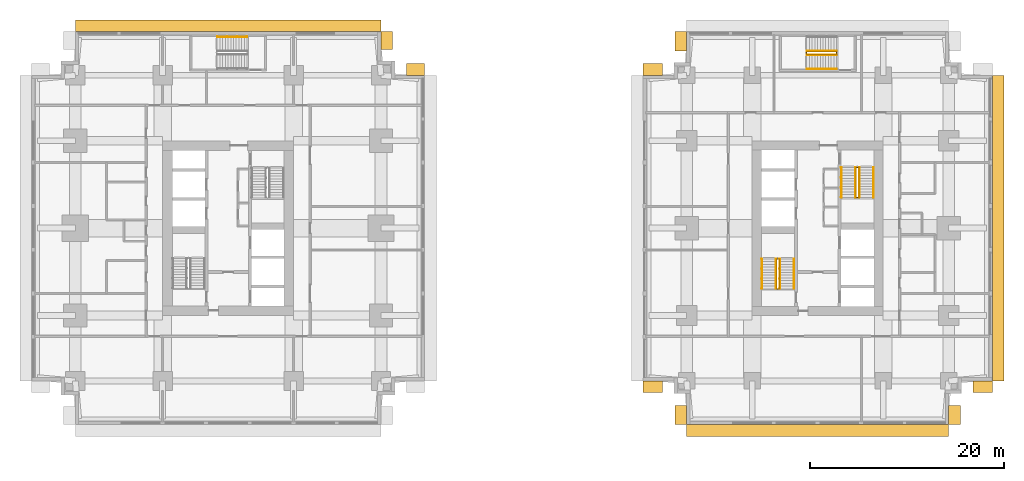
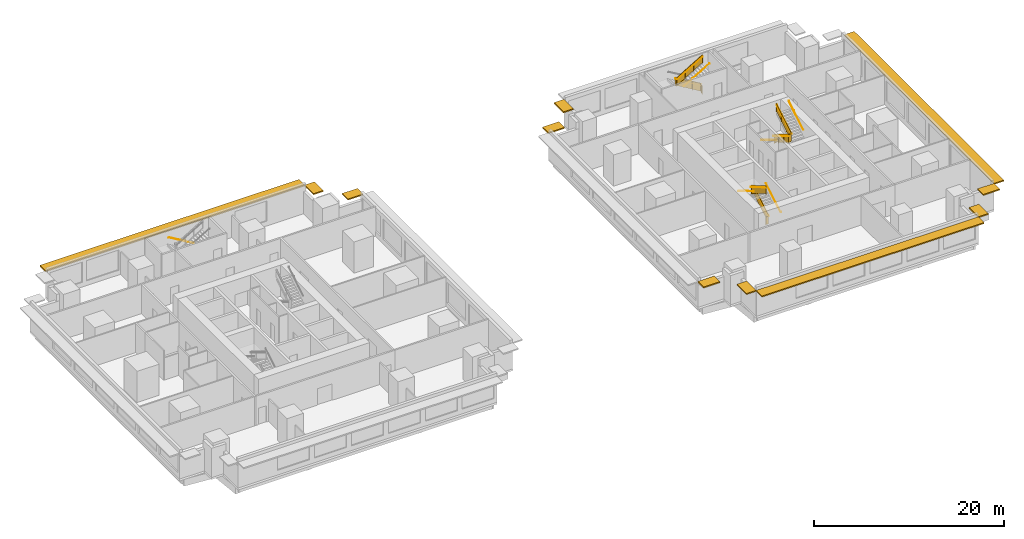
# One storey, part 10 of 11: 15 railings, 11 shading devices.
"""IFC4 building model written with IfcOpenShell, lengths in metres."""

from ifc_helpers import new_model, si_unit, direction, frame, origin, origin_2d, place, context, subcontext, project, spatial, polyline, rectangle, circle, outline, extrude, material, layer, layer_set, type_object, element, save


model = new_model("IFC4")

# Units and contexts
model_context = context("Model", 3, precision=1e-05, world=origin(), true_north=direction((0.0, 1.0)))
body_context = subcontext(model_context, "Body", "Model", "MODEL_VIEW")
ifc_project = project(units=[si_unit("LENGTHUNIT", "METRE"), si_unit("AREAUNIT", "SQUARE_METRE"), si_unit("VOLUMEUNIT", "CUBIC_METRE"), si_unit("PLANEANGLEUNIT", "RADIAN"), si_unit("MASSUNIT", "GRAM", prefix="KILO")], contexts=[model_context])

# Site, building, storey
site_placement = place(None, origin())
site = spatial("IfcSite", under=ifc_project, at=site_placement, CompositionType="ELEMENT")
building_placement = place(site_placement, origin())
building = spatial("IfcBuilding", under=site, at=building_placement, Name="Namib Vertical Campus", CompositionType="ELEMENT")
storey_placement = place(building_placement, frame((0.0, 0.0, 49.0)))
storey = spatial("IfcBuildingStorey", under=building, at=storey_placement, Name="L11", CompositionType="ELEMENT", Elevation=49.0)

# Railings
ifc_material_1 = material(Name="Steel handrail", Category="steel")
railing_type_1 = type_object("IfcRailingType", Name="Handrail 900", PredefinedType="HANDRAIL", material=ifc_material_1)
railing_1_placement = place(storey_placement, frame((78.550048828125, 14.0, 0.166748046875)))
element("IfcRailing", 1, at=railing_1_placement, inside=storey, type_object=railing_type_1, Name="Handrail HR1 B-S1 L11 1", PredefinedType="HANDRAIL", context=body_context, shape_type="SweptSolid", body=[
    extrude(circle(Radius=0.02392578125, at=origin_2d()), frame((0.0, 0.0, 0.8759765625), z_axis=(0.0, 0.859308565015, 0.511457515432), x_axis=(-1.0, 0.0, 0.0)), (0.0, 0.0, 1.0), 3.58447265625),
    extrude(circle(Radius=0.008056640625, at=origin_2d()), frame((0.0, 0.0, 0.8759765625), z_axis=(1.0, 0.0, 0.0), x_axis=(0.0, 0.0, 1.0)), (0.0, 0.0, 1.0), 0.050048828125),
    extrude(circle(Radius=0.008056640625, at=origin_2d()), frame((0.0, 1.026611328125, 1.48681640625), z_axis=(1.0, 0.0, 0.0), x_axis=(0.0, 0.0, 1.0)), (0.0, 0.0, 1.0), 0.050048828125),
    extrude(circle(Radius=0.008056640625, at=origin_2d()), frame((0.0, 2.053466796875, 2.09814453125), z_axis=(1.0, 0.0, 0.0), x_axis=(0.0, 0.0, 1.0)), (0.0, 0.0, 1.0), 0.050048828125),
    extrude(circle(Radius=0.008056640625, at=origin_2d()), frame((0.0, 3.080078125, 2.708984375), z_axis=(1.0, 0.0, 0.0), x_axis=(0.0, 0.0, 1.0)), (0.0, 0.0, 1.0), 0.050048828125),
])
railing_2_placement = place(storey_placement, frame((75.25, 17.080078125, 2.166748046875)))
element("IfcRailing", 2, at=railing_2_placement, inside=storey, type_object=railing_type_1, Name="Handrail HR1 B-S1 L11 2", PredefinedType="HANDRAIL", context=body_context, shape_type="SweptSolid", body=[
    extrude(circle(Radius=0.02392578125, at=origin_2d()), frame((0.0, 0.0, 0.8759765625), z_axis=(0.0, -0.859308565015, 0.511457515432), x_axis=(1.0, 0.0, 0.0)), (0.0, 0.0, 1.0), 3.58447265625),
    extrude(circle(Radius=0.008056640625, at=origin_2d()), frame((0.0, 0.0, 0.8759765625), z_axis=(-1.0, 0.0, 0.0), x_axis=(0.0, 0.0, 1.0)), (0.0, 0.0, 1.0), 0.050048828125),
    extrude(circle(Radius=0.008056640625, at=origin_2d()), frame((0.0, -1.026611328125, 1.48681640625), z_axis=(-1.0, 0.0, 0.0), x_axis=(0.0, 0.0, 1.0)), (0.0, 0.0, 1.0), 0.050048828125),
    extrude(circle(Radius=0.008056640625, at=origin_2d()), frame((0.0, -2.053466796875, 2.09814453125), z_axis=(-1.0, 0.0, 0.0), x_axis=(0.0, 0.0, 1.0)), (0.0, 0.0, 1.0), 0.050048828125),
    extrude(circle(Radius=0.008056640625, at=origin_2d()), frame((0.0, -3.080078125, 2.708984375), z_axis=(-1.0, 0.0, 0.0), x_axis=(0.0, 0.0, 1.0)), (0.0, 0.0, 1.0), 0.050048828125),
])
railing_3_placement = place(storey_placement, frame((77.10009765625, 14.0, 0.166748046875)))
element("IfcRailing", 3, at=railing_3_placement, inside=storey, type_object=railing_type_1, Name="Handrail HR1 B-S1 L11 1 at the well", PredefinedType="HANDRAIL", context=body_context, shape_type="SweptSolid", body=[
    extrude(circle(Radius=0.02392578125, at=origin_2d()), frame((0.0, 0.0, 0.8759765625), z_axis=(0.0, 0.859308565015, 0.511457515432), x_axis=(-1.0, 0.0, 0.0)), (0.0, 0.0, 1.0), 3.58447265625),
    extrude(circle(Radius=0.008056640625, at=origin_2d()), frame((0.0, 0.0, 0.8759765625), z_axis=(-1.0, 0.0, 0.0), x_axis=(0.0, 0.0, 1.0)), (0.0, 0.0, 1.0), 0.0400390625),
    extrude(circle(Radius=0.008056640625, at=origin_2d()), frame((0.0, 1.026611328125, 1.48681640625), z_axis=(-1.0, 0.0, 0.0), x_axis=(0.0, 0.0, 1.0)), (0.0, 0.0, 1.0), 0.0400390625),
    extrude(circle(Radius=0.008056640625, at=origin_2d()), frame((0.0, 2.053466796875, 2.09814453125), z_axis=(-1.0, 0.0, 0.0), x_axis=(0.0, 0.0, 1.0)), (0.0, 0.0, 1.0), 0.0400390625),
    extrude(circle(Radius=0.008056640625, at=origin_2d()), frame((0.0, 3.080078125, 2.708984375), z_axis=(-1.0, 0.0, 0.0), x_axis=(0.0, 0.0, 1.0)), (0.0, 0.0, 1.0), 0.0400390625),
])
railing_4_placement = place(storey_placement, frame((76.699951171875, 17.080078125, 2.166748046875)))
element("IfcRailing", 4, at=railing_4_placement, inside=storey, type_object=railing_type_1, Name="Handrail HR1 B-S1 L11 2 at the well", PredefinedType="HANDRAIL", context=body_context, shape_type="SweptSolid", body=[
    extrude(circle(Radius=0.02392578125, at=origin_2d()), frame((0.0, 0.0, 0.8759765625), z_axis=(0.0, -0.859308565015, 0.511457515432), x_axis=(1.0, 0.0, 0.0)), (0.0, 0.0, 1.0), 3.58447265625),
    extrude(circle(Radius=0.008056640625, at=origin_2d()), frame((0.0, 0.0, 0.8759765625), z_axis=(1.0, 0.0, 0.0), x_axis=(0.0, 0.0, 1.0)), (0.0, 0.0, 1.0), 0.0400390625),
    extrude(circle(Radius=0.008056640625, at=origin_2d()), frame((0.0, -1.026611328125, 1.48681640625), z_axis=(1.0, 0.0, 0.0), x_axis=(0.0, 0.0, 1.0)), (0.0, 0.0, 1.0), 0.0400390625),
    extrude(circle(Radius=0.008056640625, at=origin_2d()), frame((0.0, -2.053466796875, 2.09814453125), z_axis=(1.0, 0.0, 0.0), x_axis=(0.0, 0.0, 1.0)), (0.0, 0.0, 1.0), 0.0400390625),
    extrude(circle(Radius=0.008056640625, at=origin_2d()), frame((0.0, -3.080078125, 2.708984375), z_axis=(1.0, 0.0, 0.0), x_axis=(0.0, 0.0, 1.0)), (0.0, 0.0, 1.0), 0.0400390625),
])
railing_5_placement = place(storey_placement, frame((83.449951171875, 26.5, 0.166748046875)))
element("IfcRailing", 5, at=railing_5_placement, inside=storey, type_object=railing_type_1, Name="Handrail HR1 B-S2 L11 1", PredefinedType="HANDRAIL", context=body_context, shape_type="SweptSolid", body=[
    extrude(circle(Radius=0.02392578125, at=origin_2d()), frame((0.0, 0.0, 0.8759765625), z_axis=(0.0, -0.859308565015, 0.511457515432), x_axis=(1.0, 0.0, 0.0)), (0.0, 0.0, 1.0), 3.58447265625),
    extrude(circle(Radius=0.008056640625, at=origin_2d()), frame((0.0, 0.0, 0.8759765625), z_axis=(-1.0, 0.0, 0.0), x_axis=(0.0, 0.0, 1.0)), (0.0, 0.0, 1.0), 0.050048828125),
    extrude(circle(Radius=0.008056640625, at=origin_2d()), frame((0.0, -1.026611328125, 1.48681640625), z_axis=(-1.0, 0.0, 0.0), x_axis=(0.0, 0.0, 1.0)), (0.0, 0.0, 1.0), 0.050048828125),
    extrude(circle(Radius=0.008056640625, at=origin_2d()), frame((0.0, -2.053466796875, 2.09814453125), z_axis=(-1.0, 0.0, 0.0), x_axis=(0.0, 0.0, 1.0)), (0.0, 0.0, 1.0), 0.050048828125),
    extrude(circle(Radius=0.008056640625, at=origin_2d()), frame((0.0, -3.080078125, 2.708984375), z_axis=(-1.0, 0.0, 0.0), x_axis=(0.0, 0.0, 1.0)), (0.0, 0.0, 1.0), 0.050048828125),
])
railing_6_placement = place(storey_placement, frame((86.75, 23.419921875, 2.166748046875)))
element("IfcRailing", 6, at=railing_6_placement, inside=storey, type_object=railing_type_1, Name="Handrail HR1 B-S2 L11 2", PredefinedType="HANDRAIL", context=body_context, shape_type="SweptSolid", body=[
    extrude(circle(Radius=0.02392578125, at=origin_2d()), frame((0.0, 0.0, 0.8759765625), z_axis=(0.0, 0.859308565015, 0.511457515432), x_axis=(-1.0, 0.0, 0.0)), (0.0, 0.0, 1.0), 3.58447265625),
    extrude(circle(Radius=0.008056640625, at=origin_2d()), frame((0.0, 0.0, 0.8759765625), z_axis=(1.0, 0.0, 0.0), x_axis=(0.0, 0.0, 1.0)), (0.0, 0.0, 1.0), 0.050048828125),
    extrude(circle(Radius=0.008056640625, at=origin_2d()), frame((0.0, 1.026611328125, 1.48681640625), z_axis=(1.0, 0.0, 0.0), x_axis=(0.0, 0.0, 1.0)), (0.0, 0.0, 1.0), 0.050048828125),
    extrude(circle(Radius=0.008056640625, at=origin_2d()), frame((0.0, 2.053466796875, 2.09814453125), z_axis=(1.0, 0.0, 0.0), x_axis=(0.0, 0.0, 1.0)), (0.0, 0.0, 1.0), 0.050048828125),
    extrude(circle(Radius=0.008056640625, at=origin_2d()), frame((0.0, 3.080078125, 2.708984375), z_axis=(1.0, 0.0, 0.0), x_axis=(0.0, 0.0, 1.0)), (0.0, 0.0, 1.0), 0.050048828125),
])
railing_7_placement = place(storey_placement, frame((84.89990234375, 26.5, 0.166748046875)))
element("IfcRailing", 7, at=railing_7_placement, inside=storey, type_object=railing_type_1, Name="Handrail HR1 B-S2 L11 1 at the well", PredefinedType="HANDRAIL", context=body_context, shape_type="SweptSolid", body=[
    extrude(circle(Radius=0.02392578125, at=origin_2d()), frame((0.0, 0.0, 0.8759765625), z_axis=(0.0, -0.859308565015, 0.511457515432), x_axis=(1.0, 0.0, 0.0)), (0.0, 0.0, 1.0), 3.58447265625),
    extrude(circle(Radius=0.008056640625, at=origin_2d()), frame((0.0, 0.0, 0.8759765625), z_axis=(1.0, 0.0, 0.0), x_axis=(0.0, 0.0, 1.0)), (0.0, 0.0, 1.0), 0.0400390625),
    extrude(circle(Radius=0.008056640625, at=origin_2d()), frame((0.0, -1.026611328125, 1.48681640625), z_axis=(1.0, 0.0, 0.0), x_axis=(0.0, 0.0, 1.0)), (0.0, 0.0, 1.0), 0.0400390625),
    extrude(circle(Radius=0.008056640625, at=origin_2d()), frame((0.0, -2.053466796875, 2.09814453125), z_axis=(1.0, 0.0, 0.0), x_axis=(0.0, 0.0, 1.0)), (0.0, 0.0, 1.0), 0.0400390625),
    extrude(circle(Radius=0.008056640625, at=origin_2d()), frame((0.0, -3.080078125, 2.708984375), z_axis=(1.0, 0.0, 0.0), x_axis=(0.0, 0.0, 1.0)), (0.0, 0.0, 1.0), 0.0400390625),
])
railing_8_placement = place(storey_placement, frame((85.300048828125, 23.419921875, 2.166748046875)))
element("IfcRailing", 8, at=railing_8_placement, inside=storey, type_object=railing_type_1, Name="Handrail HR1 B-S2 L11 2 at the well", PredefinedType="HANDRAIL", context=body_context, shape_type="SweptSolid", body=[
    extrude(circle(Radius=0.02392578125, at=origin_2d()), frame((0.0, 0.0, 0.8759765625), z_axis=(0.0, 0.859308565015, 0.511457515432), x_axis=(-1.0, 0.0, 0.0)), (0.0, 0.0, 1.0), 3.58447265625),
    extrude(circle(Radius=0.008056640625, at=origin_2d()), frame((0.0, 0.0, 0.8759765625), z_axis=(-1.0, 0.0, 0.0), x_axis=(0.0, 0.0, 1.0)), (0.0, 0.0, 1.0), 0.0400390625),
    extrude(circle(Radius=0.008056640625, at=origin_2d()), frame((0.0, 1.026611328125, 1.48681640625), z_axis=(-1.0, 0.0, 0.0), x_axis=(0.0, 0.0, 1.0)), (0.0, 0.0, 1.0), 0.0400390625),
    extrude(circle(Radius=0.008056640625, at=origin_2d()), frame((0.0, 2.053466796875, 2.09814453125), z_axis=(-1.0, 0.0, 0.0), x_axis=(0.0, 0.0, 1.0)), (0.0, 0.0, 1.0), 0.0400390625),
    extrude(circle(Radius=0.008056640625, at=origin_2d()), frame((0.0, 3.080078125, 2.708984375), z_axis=(-1.0, 0.0, 0.0), x_axis=(0.0, 0.0, 1.0)), (0.0, 0.0, 1.0), 0.0400390625),
])
railing_9_placement = place(storey_placement, frame((22.199951171875, 39.949951171875, 0.166748046875)))
element("IfcRailing", 9, at=railing_9_placement, inside=storey, type_object=railing_type_1, Name="Handrail HR1 A-S3 L11 1", PredefinedType="HANDRAIL", context=body_context, shape_type="SweptSolid", body=[
    extrude(circle(Radius=0.02392578125, at=origin_2d()), frame((0.0, 0.0, 0.8759765625), z_axis=(-0.859290745958, 0.0, 0.51148745235), x_axis=(0.0, -1.0, 0.0)), (0.0, 0.0, 1.0), 3.584228515625),
    extrude(circle(Radius=0.008056640625, at=origin_2d()), frame((0.0, 0.0, 0.8759765625), z_axis=(0.0, 1.0, 0.0), x_axis=(0.0, 0.0, 1.0)), (0.0, 0.0, 1.0), 0.050048828125),
    extrude(circle(Radius=0.008056640625, at=origin_2d()), frame((-1.026611328125, 0.0, 1.48681640625), z_axis=(0.0, 1.0, 0.0), x_axis=(0.0, 0.0, 1.0)), (0.0, 0.0, 1.0), 0.050048828125),
    extrude(circle(Radius=0.008056640625, at=origin_2d()), frame((-2.05322265625, 0.0, 2.09814453125), z_axis=(0.0, 1.0, 0.0), x_axis=(0.0, 0.0, 1.0)), (0.0, 0.0, 1.0), 0.050048828125),
    extrude(circle(Radius=0.008056640625, at=origin_2d()), frame((-3.079833984375, 0.0, 2.708984375), z_axis=(0.0, 1.0, 0.0), x_axis=(0.0, 0.0, 1.0)), (0.0, 0.0, 1.0), 0.050048828125),
])
railing_10_placement = place(storey_placement, frame((79.8701171875, 36.64990234375, 2.166748046875)))
element("IfcRailing", 10, at=railing_10_placement, inside=storey, type_object=railing_type_1, Name="Handrail HR1 B-S3 L11 2", PredefinedType="HANDRAIL", context=body_context, shape_type="SweptSolid", body=[
    extrude(circle(Radius=0.02392578125, at=origin_2d()), frame((0.0, 0.0, 0.8759765625), z_axis=(0.859290745958, 0.0, 0.51148745235), x_axis=(0.0, 1.0, 0.0)), (0.0, 0.0, 1.0), 3.584228515625),
    extrude(circle(Radius=0.008056640625, at=origin_2d()), frame((0.0, 0.0, 0.8759765625), z_axis=(0.0, -1.0, 0.0), x_axis=(0.0, 0.0, 1.0)), (0.0, 0.0, 1.0), 0.050048828125),
    extrude(circle(Radius=0.008056640625, at=origin_2d()), frame((1.026611328125, 0.0, 1.48681640625), z_axis=(0.0, -1.0, 0.0), x_axis=(0.0, 0.0, 1.0)), (0.0, 0.0, 1.0), 0.050048828125),
    extrude(circle(Radius=0.008056640625, at=origin_2d()), frame((2.05322265625, 0.0, 2.09814453125), z_axis=(0.0, -1.0, 0.0), x_axis=(0.0, 0.0, 1.0)), (0.0, 0.0, 1.0), 0.050048828125),
    extrude(circle(Radius=0.008056640625, at=origin_2d()), frame((3.079833984375, 0.0, 2.708984375), z_axis=(0.0, -1.0, 0.0), x_axis=(0.0, 0.0, 1.0)), (0.0, 0.0, 1.0), 0.050048828125),
])
railing_11_placement = place(storey_placement, frame((82.949951171875, 38.5, 0.166748046875)))
element("IfcRailing", 11, at=railing_11_placement, inside=storey, type_object=railing_type_1, Name="Handrail HR1 B-S3 L11 1 at the well", PredefinedType="HANDRAIL", context=body_context, shape_type="SweptSolid", body=[
    extrude(circle(Radius=0.02392578125, at=origin_2d()), frame((0.0, 0.0, 0.8759765625), z_axis=(-0.859290745958, 0.0, 0.51148745235), x_axis=(0.0, -1.0, 0.0)), (0.0, 0.0, 1.0), 3.584228515625),
    extrude(circle(Radius=0.008056640625, at=origin_2d()), frame((0.0, 0.0, 0.8759765625), z_axis=(0.0, -1.0, 0.0), x_axis=(0.0, 0.0, 1.0)), (0.0, 0.0, 1.0), 0.0400390625),
    extrude(circle(Radius=0.008056640625, at=origin_2d()), frame((-1.026611328125, 0.0, 1.48681640625), z_axis=(0.0, -1.0, 0.0), x_axis=(0.0, 0.0, 1.0)), (0.0, 0.0, 1.0), 0.0400390625),
    extrude(circle(Radius=0.008056640625, at=origin_2d()), frame((-2.05322265625, 0.0, 2.09814453125), z_axis=(0.0, -1.0, 0.0), x_axis=(0.0, 0.0, 1.0)), (0.0, 0.0, 1.0), 0.0400390625),
    extrude(circle(Radius=0.008056640625, at=origin_2d()), frame((-3.079833984375, 0.0, 2.708984375), z_axis=(0.0, -1.0, 0.0), x_axis=(0.0, 0.0, 1.0)), (0.0, 0.0, 1.0), 0.0400390625),
])
railing_12_placement = place(storey_placement, frame((79.8701171875, 38.10009765625, 2.166748046875)))
element("IfcRailing", 12, at=railing_12_placement, inside=storey, type_object=railing_type_1, Name="Handrail HR1 B-S3 L11 2 at the well", PredefinedType="HANDRAIL", context=body_context, shape_type="SweptSolid", body=[
    extrude(circle(Radius=0.02392578125, at=origin_2d()), frame((0.0, 0.0, 0.8759765625), z_axis=(0.859290745958, 0.0, 0.51148745235), x_axis=(0.0, 1.0, 0.0)), (0.0, 0.0, 1.0), 3.584228515625),
    extrude(circle(Radius=0.008056640625, at=origin_2d()), frame((0.0, 0.0, 0.8759765625), z_axis=(0.0, 1.0, 0.0), x_axis=(0.0, 0.0, 1.0)), (0.0, 0.0, 1.0), 0.0400390625),
    extrude(circle(Radius=0.008056640625, at=origin_2d()), frame((1.026611328125, 0.0, 1.48681640625), z_axis=(0.0, 1.0, 0.0), x_axis=(0.0, 0.0, 1.0)), (0.0, 0.0, 1.0), 0.0400390625),
    extrude(circle(Radius=0.008056640625, at=origin_2d()), frame((2.05322265625, 0.0, 2.09814453125), z_axis=(0.0, 1.0, 0.0), x_axis=(0.0, 0.0, 1.0)), (0.0, 0.0, 1.0), 0.0400390625),
    extrude(circle(Radius=0.008056640625, at=origin_2d()), frame((3.079833984375, 0.0, 2.708984375), z_axis=(0.0, 1.0, 0.0), x_axis=(0.0, 0.0, 1.0)), (0.0, 0.0, 1.0), 0.0400390625),
])
ifc_material_2 = material(Name="Steel balustrade", Category="steel")
railing_type_2 = type_object("IfcRailingType", Name="Stair guard 1100", PredefinedType="GUARDRAIL", material=ifc_material_2)
railing_13_placement = place(storey_placement, frame((76.75, 14.0, 0.0)))
element("IfcRailing", 13, at=railing_13_placement, inside=storey, type_object=railing_type_2, Name="Stair guard GR1 B-S1 L11", PredefinedType="GUARDRAIL", context=body_context, shape_type="SweptSolid", body=[
    extrude(circle(Radius=0.02392578125, at=origin_2d()), frame((0.0, 0.0, 1.076171875), z_axis=(1.0, 0.0, 0.0), x_axis=(0.0, 1.0, 0.0)), (0.0, 0.0, 1.0), 0.300048828125),
    extrude(outline(polyline([(0.02099609375, 0.050048828125), (0.279052734375, 0.050048828125), (0.279052734375, 1.052001953125), (0.02099609375, 1.052001953125), (0.02099609375, 0.050048828125)])), frame((0.0, 0.010009765625, 0.0), z_axis=(0.0, -1.0, 0.0), x_axis=(1.0, 0.0, 0.0)), (0.0, 0.0, 1.0), 0.02001953125),
    extrude(circle(Radius=0.02392578125, at=origin_2d()), frame((0.300048828125, 0.0, 1.076171875), z_axis=(0.0, 0.0, 1.0), x_axis=(1.0, 0.0, 0.0)), (0.0, 0.0, 1.0), 0.166748046875),
    extrude(circle(Radius=0.02392578125, at=origin_2d()), frame((0.300048828125, 0.0, 1.24267578125), z_axis=(0.0, 0.859308565015, 0.511457515432), x_axis=(-1.0, 0.0, 0.0)), (0.0, 0.0, 1.0), 3.58447265625),
    extrude(outline(polyline([(0.02099609375, 0.0625), (3.05908203125, 1.870849609375), (3.05908203125, 2.872802734375), (0.02099609375, 1.064453125), (0.02099609375, 0.0625)])), frame((0.2900390625, 0.0, 0.166748046875), z_axis=(1.0, 0.0, 0.0), x_axis=(0.0, 1.0, 0.0)), (0.0, 0.0, 1.0), 0.02001953125),
    extrude(circle(Radius=0.02392578125, at=origin_2d()), frame((0.300048828125, 3.080078125, 3.076171875), z_axis=(-1.0, 0.0, 0.0), x_axis=(0.0, -1.0, 0.0)), (0.0, 0.0, 1.0), 0.300048828125),
    extrude(outline(polyline([(0.02099609375, 0.050048828125), (0.279052734375, 0.050048828125), (0.279052734375, 1.052001953125), (0.02099609375, 1.052001953125), (0.02099609375, 0.050048828125)])), frame((0.300048828125, 3.070068359375, 2.0), z_axis=(0.0, 1.0, 0.0), x_axis=(-1.0, 0.0, 0.0)), (0.0, 0.0, 1.0), 0.02001953125),
    extrude(circle(Radius=0.02392578125, at=origin_2d()), frame((0.0, 3.080078125, 3.076171875), z_axis=(0.0, 0.0, 1.0), x_axis=(1.0, 0.0, 0.0)), (0.0, 0.0, 1.0), 0.166748046875),
    extrude(circle(Radius=0.02392578125, at=origin_2d()), frame((0.0, 3.080078125, 3.24267578125), z_axis=(0.0, -0.859308565015, 0.511457515432), x_axis=(1.0, 0.0, 0.0)), (0.0, 0.0, 1.0), 3.58447265625),
    extrude(outline(polyline([(0.02099609375, 0.0625), (3.05908203125, 1.870849609375), (3.05908203125, 2.872802734375), (0.02099609375, 1.064453125), (0.02099609375, 0.0625)])), frame((0.010009765625, 3.080078125, 2.166748046875), z_axis=(-1.0, 0.0, 0.0), x_axis=(0.0, -1.0, 0.0)), (0.0, 0.0, 1.0), 0.02001953125),
    extrude(circle(Radius=0.02392578125, at=origin_2d()), frame((0.0, 0.0, 5.076171875), z_axis=(0.0, -1.0, 0.0), x_axis=(1.0, 0.0, 0.0)), (0.0, 0.0, 1.0), 0.050048828125),
    extrude(outline(polyline([(0.02099609375, 0.050048828125), (0.029052734375, 0.050048828125), (0.029052734375, 1.052001953125), (0.02099609375, 1.052001953125), (0.02099609375, 0.050048828125)])), frame((0.010009765625, 0.0, 4.0), z_axis=(-1.0, 0.0, 0.0), x_axis=(0.0, -1.0, 0.0)), (0.0, 0.0, 1.0), 0.02001953125),
    extrude(circle(Radius=0.02099609375, at=origin_2d()), origin(), (0.0, 0.0, 1.0), 1.052001953125),
    extrude(circle(Radius=0.02099609375, at=origin_2d()), frame((0.300048828125, 0.0, 0.166748046875)), (0.0, 0.0, 1.0), 1.052001953125),
    extrude(circle(Radius=0.02099609375, at=origin_2d()), frame((0.300048828125, 1.026611328125, 0.666748046875)), (0.0, 0.0, 1.0), 1.1630859375),
    extrude(circle(Radius=0.02099609375, at=origin_2d()), frame((0.300048828125, 2.053466796875, 1.33349609375)), (0.0, 0.0, 1.0), 1.107421875),
    extrude(circle(Radius=0.02099609375, at=origin_2d()), frame((0.300048828125, 3.080078125, 2.0)), (0.0, 0.0, 1.0), 1.052001953125),
    extrude(circle(Radius=0.02099609375, at=origin_2d()), frame((0.0, 3.080078125, 2.166748046875)), (0.0, 0.0, 1.0), 1.052001953125),
    extrude(circle(Radius=0.02099609375, at=origin_2d()), frame((0.0, 2.053466796875, 2.666748046875)), (0.0, 0.0, 1.0), 1.1630859375),
    extrude(circle(Radius=0.02099609375, at=origin_2d()), frame((0.0, 1.026611328125, 3.33349609375)), (0.0, 0.0, 1.0), 1.107421875),
    extrude(circle(Radius=0.02099609375, at=origin_2d()), frame((0.0, 0.0, 4.0)), (0.0, 0.0, 1.0), 1.052001953125),
    extrude(circle(Radius=0.02099609375, at=origin_2d()), frame((0.0, -0.050048828125, 4.0)), (0.0, 0.0, 1.0), 1.052001953125),
])
railing_14_placement = place(storey_placement, frame((85.25, 26.5, 0.0)))
element("IfcRailing", 14, at=railing_14_placement, inside=storey, type_object=railing_type_2, Name="Stair guard GR1 B-S2 L11", PredefinedType="GUARDRAIL", context=body_context, shape_type="SweptSolid", body=[
    extrude(circle(Radius=0.02392578125, at=origin_2d()), frame((0.0, 0.0, 1.076171875), z_axis=(-1.0, 0.0, 0.0), x_axis=(0.0, -1.0, 0.0)), (0.0, 0.0, 1.0), 0.300048828125),
    extrude(outline(polyline([(0.02099609375, 0.050048828125), (0.279052734375, 0.050048828125), (0.279052734375, 1.052001953125), (0.02099609375, 1.052001953125), (0.02099609375, 0.050048828125)])), frame((0.0, -0.010009765625, 0.0), z_axis=(0.0, 1.0, 0.0), x_axis=(-1.0, 0.0, 0.0)), (0.0, 0.0, 1.0), 0.02001953125),
    extrude(circle(Radius=0.02392578125, at=origin_2d()), frame((-0.300048828125, 0.0, 1.076171875), z_axis=(0.0, 0.0, 1.0), x_axis=(1.0, 0.0, 0.0)), (0.0, 0.0, 1.0), 0.166748046875),
    extrude(circle(Radius=0.02392578125, at=origin_2d()), frame((-0.300048828125, 0.0, 1.24267578125), z_axis=(0.0, -0.859308565015, 0.511457515432), x_axis=(1.0, 0.0, 0.0)), (0.0, 0.0, 1.0), 3.58447265625),
    extrude(outline(polyline([(0.02099609375, 0.0625), (3.05908203125, 1.870849609375), (3.05908203125, 2.872802734375), (0.02099609375, 1.064453125), (0.02099609375, 0.0625)])), frame((-0.2900390625, 0.0, 0.166748046875), z_axis=(-1.0, 0.0, 0.0), x_axis=(0.0, -1.0, 0.0)), (0.0, 0.0, 1.0), 0.02001953125),
    extrude(circle(Radius=0.02392578125, at=origin_2d()), frame((-0.300048828125, -3.080078125, 3.076171875), z_axis=(1.0, 0.0, 0.0), x_axis=(0.0, 1.0, 0.0)), (0.0, 0.0, 1.0), 0.300048828125),
    extrude(outline(polyline([(0.02099609375, 0.050048828125), (0.279052734375, 0.050048828125), (0.279052734375, 1.052001953125), (0.02099609375, 1.052001953125), (0.02099609375, 0.050048828125)])), frame((-0.300048828125, -3.070068359375, 2.0), z_axis=(0.0, -1.0, 0.0), x_axis=(1.0, 0.0, 0.0)), (0.0, 0.0, 1.0), 0.02001953125),
    extrude(circle(Radius=0.02392578125, at=origin_2d()), frame((0.0, -3.080078125, 3.076171875), z_axis=(0.0, 0.0, 1.0), x_axis=(1.0, 0.0, 0.0)), (0.0, 0.0, 1.0), 0.166748046875),
    extrude(circle(Radius=0.02392578125, at=origin_2d()), frame((0.0, -3.080078125, 3.24267578125), z_axis=(0.0, 0.859308565015, 0.511457515432), x_axis=(-1.0, 0.0, 0.0)), (0.0, 0.0, 1.0), 3.58447265625),
    extrude(outline(polyline([(0.02099609375, 0.0625), (3.05908203125, 1.870849609375), (3.05908203125, 2.872802734375), (0.02099609375, 1.064453125), (0.02099609375, 0.0625)])), frame((-0.010009765625, -3.080078125, 2.166748046875), z_axis=(1.0, 0.0, 0.0), x_axis=(0.0, 1.0, 0.0)), (0.0, 0.0, 1.0), 0.02001953125),
    extrude(circle(Radius=0.02392578125, at=origin_2d()), frame((0.0, 0.0, 5.076171875), z_axis=(0.0, 1.0, 0.0), x_axis=(-1.0, 0.0, 0.0)), (0.0, 0.0, 1.0), 0.050048828125),
    extrude(outline(polyline([(0.02099609375, 0.050048828125), (0.029052734375, 0.050048828125), (0.029052734375, 1.052001953125), (0.02099609375, 1.052001953125), (0.02099609375, 0.050048828125)])), frame((-0.010009765625, 0.0, 4.0), z_axis=(1.0, 0.0, 0.0), x_axis=(0.0, 1.0, 0.0)), (0.0, 0.0, 1.0), 0.02001953125),
    extrude(circle(Radius=0.02099609375, at=origin_2d()), origin(), (0.0, 0.0, 1.0), 1.052001953125),
    extrude(circle(Radius=0.02099609375, at=origin_2d()), frame((-0.300048828125, 0.0, 0.166748046875)), (0.0, 0.0, 1.0), 1.052001953125),
    extrude(circle(Radius=0.02099609375, at=origin_2d()), frame((-0.300048828125, -1.026611328125, 0.666748046875)), (0.0, 0.0, 1.0), 1.1630859375),
    extrude(circle(Radius=0.02099609375, at=origin_2d()), frame((-0.300048828125, -2.053466796875, 1.33349609375)), (0.0, 0.0, 1.0), 1.107421875),
    extrude(circle(Radius=0.02099609375, at=origin_2d()), frame((-0.300048828125, -3.080078125, 2.0)), (0.0, 0.0, 1.0), 1.052001953125),
    extrude(circle(Radius=0.02099609375, at=origin_2d()), frame((0.0, -3.080078125, 2.166748046875)), (0.0, 0.0, 1.0), 1.052001953125),
    extrude(circle(Radius=0.02099609375, at=origin_2d()), frame((0.0, -2.053466796875, 2.666748046875)), (0.0, 0.0, 1.0), 1.1630859375),
    extrude(circle(Radius=0.02099609375, at=origin_2d()), frame((0.0, -1.026611328125, 3.33349609375)), (0.0, 0.0, 1.0), 1.107421875),
    extrude(circle(Radius=0.02099609375, at=origin_2d()), frame((0.0, 0.0, 4.0)), (0.0, 0.0, 1.0), 1.052001953125),
    extrude(circle(Radius=0.02099609375, at=origin_2d()), frame((0.0, 0.050048828125, 4.0)), (0.0, 0.0, 1.0), 1.052001953125),
])
railing_15_placement = place(storey_placement, frame((82.949951171875, 38.14990234375, 0.0)))
element("IfcRailing", 15, at=railing_15_placement, inside=storey, type_object=railing_type_2, Name="Stair guard GR1 B-S3 L11", PredefinedType="GUARDRAIL", context=body_context, shape_type="SweptSolid", body=[
    extrude(circle(Radius=0.02392578125, at=origin_2d()), frame((0.0, 0.0, 1.076171875), z_axis=(0.0, 1.0, 0.0), x_axis=(-1.0, 0.0, 0.0)), (0.0, 0.0, 1.0), 0.300048828125),
    extrude(outline(polyline([(0.02099609375, 0.050048828125), (0.279052734375, 0.050048828125), (0.279052734375, 1.052001953125), (0.02099609375, 1.052001953125), (0.02099609375, 0.050048828125)])), frame((-0.010009765625, 0.0, 0.0), z_axis=(1.0, 0.0, 0.0), x_axis=(0.0, 1.0, 0.0)), (0.0, 0.0, 1.0), 0.02001953125),
    extrude(circle(Radius=0.02392578125, at=origin_2d()), frame((0.0, 0.300048828125, 1.076171875), z_axis=(0.0, 0.0, 1.0), x_axis=(1.0, 0.0, 0.0)), (0.0, 0.0, 1.0), 0.166748046875),
    extrude(circle(Radius=0.02392578125, at=origin_2d()), frame((0.0, 0.300048828125, 1.24267578125), z_axis=(-0.859290745958, 0.0, 0.51148745235), x_axis=(0.0, -1.0, 0.0)), (0.0, 0.0, 1.0), 3.584228515625),
    extrude(outline(polyline([(0.02099609375, 0.0625), (3.058837890625, 1.870849609375), (3.058837890625, 2.872802734375), (0.02099609375, 1.064453125), (0.02099609375, 0.0625)])), frame((0.0, 0.2900390625, 0.166748046875), z_axis=(0.0, 1.0, 0.0), x_axis=(-1.0, 0.0, 0.0)), (0.0, 0.0, 1.0), 0.02001953125),
    extrude(circle(Radius=0.02392578125, at=origin_2d()), frame((-3.079833984375, 0.300048828125, 3.076171875), z_axis=(0.0, -1.0, 0.0), x_axis=(1.0, 0.0, 0.0)), (0.0, 0.0, 1.0), 0.300048828125),
    extrude(outline(polyline([(0.02099609375, 0.050048828125), (0.279052734375, 0.050048828125), (0.279052734375, 1.052001953125), (0.02099609375, 1.052001953125), (0.02099609375, 0.050048828125)])), frame((-3.06982421875, 0.300048828125, 2.0), z_axis=(-1.0, 0.0, 0.0), x_axis=(0.0, -1.0, 0.0)), (0.0, 0.0, 1.0), 0.02001953125),
    extrude(circle(Radius=0.02392578125, at=origin_2d()), frame((-3.079833984375, 0.0, 3.076171875), z_axis=(0.0, 0.0, 1.0), x_axis=(1.0, 0.0, 0.0)), (0.0, 0.0, 1.0), 0.166748046875),
    extrude(circle(Radius=0.02392578125, at=origin_2d()), frame((-3.079833984375, 0.0, 3.24267578125), z_axis=(0.859290745958, 0.0, 0.51148745235), x_axis=(0.0, 1.0, 0.0)), (0.0, 0.0, 1.0), 3.584228515625),
    extrude(outline(polyline([(0.02099609375, 0.0625), (3.058837890625, 1.870849609375), (3.058837890625, 2.872802734375), (0.02099609375, 1.064453125), (0.02099609375, 0.0625)])), frame((-3.079833984375, 0.010009765625, 2.166748046875), z_axis=(0.0, -1.0, 0.0), x_axis=(1.0, 0.0, 0.0)), (0.0, 0.0, 1.0), 0.02001953125),
    extrude(circle(Radius=0.02392578125, at=origin_2d()), frame((0.0, 0.0, 5.076171875), z_axis=(1.0, 0.0, 0.0), x_axis=(0.0, 1.0, 0.0)), (0.0, 0.0, 1.0), 0.050048828125),
    extrude(outline(polyline([(0.02099609375, 0.050048828125), (0.029052734375, 0.050048828125), (0.029052734375, 1.052001953125), (0.02099609375, 1.052001953125), (0.02099609375, 0.050048828125)])), frame((0.0, 0.010009765625, 4.0), z_axis=(0.0, -1.0, 0.0), x_axis=(1.0, 0.0, 0.0)), (0.0, 0.0, 1.0), 0.02001953125),
    extrude(circle(Radius=0.02099609375, at=origin_2d()), origin(), (0.0, 0.0, 1.0), 1.052001953125),
    extrude(circle(Radius=0.02099609375, at=origin_2d()), frame((0.0, 0.300048828125, 0.166748046875)), (0.0, 0.0, 1.0), 1.052001953125),
    extrude(circle(Radius=0.02099609375, at=origin_2d()), frame((-1.026611328125, 0.300048828125, 0.666748046875)), (0.0, 0.0, 1.0), 1.1630859375),
    extrude(circle(Radius=0.02099609375, at=origin_2d()), frame((-2.05322265625, 0.300048828125, 1.33349609375)), (0.0, 0.0, 1.0), 1.107421875),
    extrude(circle(Radius=0.02099609375, at=origin_2d()), frame((-3.079833984375, 0.300048828125, 2.0)), (0.0, 0.0, 1.0), 1.052001953125),
    extrude(circle(Radius=0.02099609375, at=origin_2d()), frame((-3.079833984375, 0.0, 2.166748046875)), (0.0, 0.0, 1.0), 1.052001953125),
    extrude(circle(Radius=0.02099609375, at=origin_2d()), frame((-2.05322265625, 0.0, 2.666748046875)), (0.0, 0.0, 1.0), 1.1630859375),
    extrude(circle(Radius=0.02099609375, at=origin_2d()), frame((-1.026611328125, 0.0, 3.33349609375)), (0.0, 0.0, 1.0), 1.107421875),
    extrude(circle(Radius=0.02099609375, at=origin_2d()), frame((0.0, 0.0, 4.0)), (0.0, 0.0, 1.0), 1.052001953125),
    extrude(circle(Radius=0.02099609375, at=origin_2d()), frame((0.050048828125, 0.0, 4.0)), (0.0, 0.0, 1.0), 1.052001953125),
])

# Shading devices
ifc_material_3 = material(Name="Concrete C40/50 precast", Category="concrete")
ifc_layer = layer(ifc_material_3, 0.14990234375)
ifc_layer_set = layer_set([ifc_layer], Name="Concrete C40/50 precast")
shading_device_type = type_object("IfcShadingDeviceType", Name="Sunshade hood 1200", PredefinedType="SHUTTER", material=ifc_layer_set)
for number, where, z_axis, x_axis, name in (
    (16, (39.574951171875, 36.60009765625, 3.199951171875), (0.0, 0.0, 1.0), (-1.0, 0.0, 0.0), "Sunshade SH2 L11 7"),
    (17, (36.60009765625, 39.574951171875, 3.199951171875), (0.0, 0.0, 1.0), (0.0, 1.0, 0.0), "Sunshade SH2 L11 10"),
):
    element("IfcShadingDevice", number, at=place(storey_placement, frame(where, z_axis=z_axis, x_axis=x_axis)), inside=storey, type_object=shading_device_type, Name=name, PredefinedType="SHUTTER", context=body_context, shape_type="SweptSolid", body=[
        extrude(rectangle(XDim=1.85009765625, YDim=1.199951171875, at=origin_2d()), origin(), (0.0, 0.0, 1.0), 0.14990234375),
    ])
shading_device_1_placement = place(storey_placement, frame((20.25, 41.10009765625, 3.199951171875), z_axis=(0.0, 0.0, 1.0), x_axis=(-1.0, 0.0, 0.0)))
element("IfcShadingDevice", 18, at=shading_device_1_placement, inside=storey, type_object=shading_device_type, Name="Sunshade SH2 L11 11", PredefinedType="SHUTTER", context=body_context, shape_type="SweptSolid", body=[
    extrude(rectangle(XDim=31.5, YDim=1.199951171875, at=origin_2d()), origin(), (0.0, 0.0, 1.0), 0.14990234375),
])
shading_device_2_placement = place(storey_placement, frame((81.0, -0.60009765625, 3.199951171875), z_axis=(0.0, 0.0, 1.0), x_axis=(1.0, 0.0, 0.0)))
element("IfcShadingDevice", 19, at=shading_device_2_placement, inside=storey, type_object=shading_device_type, Name="Sunshade SH2 L11 1", PredefinedType="SHUTTER", context=body_context, shape_type="SweptSolid", body=[
    extrude(rectangle(XDim=27.0, YDim=1.199951171875, at=origin_2d()), origin(), (0.0, 0.0, 1.0), 0.14990234375),
])
for number, where, z_axis, x_axis, name in (
    (20, (95.10009765625, 1.0, 3.199951171875), (0.0, 0.0, 1.0), (0.0, 1.0, 0.0), "Sunshade SH2 L11 2"),
    (21, (98.0, 3.89990234375, 3.199951171875), (0.0, 0.0, 1.0), (1.0, 0.0, 0.0), "Sunshade SH2 L11 5"),
):
    element("IfcShadingDevice", number, at=place(storey_placement, frame(where, z_axis=z_axis, x_axis=x_axis)), inside=storey, type_object=shading_device_type, Name=name, PredefinedType="SHUTTER", context=body_context, shape_type="SweptSolid", body=[
        extrude(rectangle(XDim=2.0, YDim=1.199951171875, at=origin_2d()), origin(), (0.0, 0.0, 1.0), 0.14990234375),
    ])
shading_device_3_placement = place(storey_placement, frame((99.60009765625, 20.25, 3.199951171875), z_axis=(0.0, 0.0, 1.0), x_axis=(0.0, 1.0, 0.0)))
element("IfcShadingDevice", 22, at=shading_device_3_placement, inside=storey, type_object=shading_device_type, Name="Sunshade SH2 L11 6", PredefinedType="SHUTTER", context=body_context, shape_type="SweptSolid", body=[
    extrude(rectangle(XDim=31.5, YDim=1.199951171875, at=origin_2d()), origin(), (0.0, 0.0, 1.0), 0.14990234375),
])
for number, where, z_axis, x_axis, name in (
    (23, (66.89990234375, 39.5, 3.199951171875), (0.0, 0.0, 1.0), (0.0, -1.0, 0.0), "Sunshade SH2 L11 12"),
    (24, (64.0, 36.60009765625, 3.199951171875), (0.0, 0.0, 1.0), (-1.0, 0.0, 0.0), "Sunshade SH2 L11 15"),
    (25, (64.0, 3.89990234375, 3.199951171875), (0.0, 0.0, 1.0), (1.0, 0.0, 0.0), "Sunshade SH2 L11 17"),
    (26, (66.89990234375, 1.0, 3.199951171875), (0.0, 0.0, 1.0), (0.0, -1.0, 0.0), "Sunshade SH2 L11 20"),
):
    element("IfcShadingDevice", number, at=place(storey_placement, frame(where, z_axis=z_axis, x_axis=x_axis)), inside=storey, type_object=shading_device_type, Name=name, PredefinedType="SHUTTER", context=body_context, shape_type="SweptSolid", body=[
        extrude(rectangle(XDim=2.0, YDim=1.199951171875, at=origin_2d()), origin(), (0.0, 0.0, 1.0), 0.14990234375),
    ])

save(model, "model.ifc")
